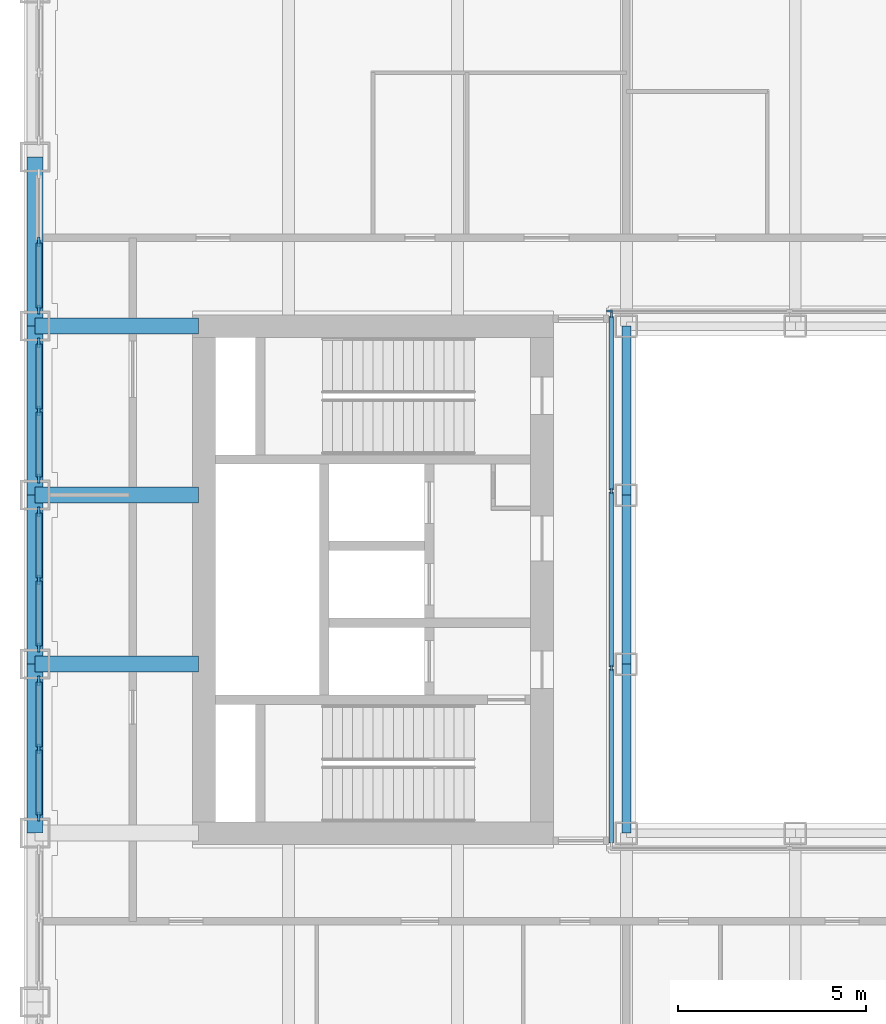
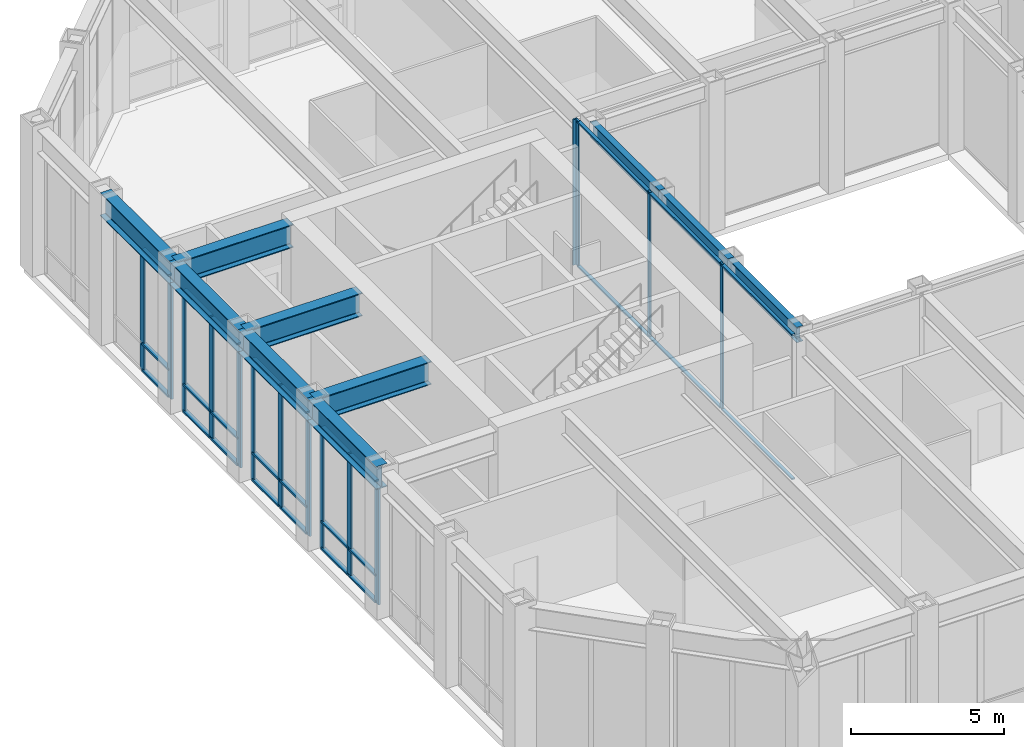
# One storey, part 4 of 22: 42 members, 10 beams, 6 elements without a shape of their own.
"""IFC4 building model written with IfcOpenShell, lengths in metres."""

from ifc_helpers import new_model, si_unit, direction, frame, origin, origin_2d, place, context, subcontext, project, spatial, rectangle, i_section, extrude, material, material_profile, profile_set, type_object, element, aggregate, save


model = new_model("IFC4")

# Units and contexts
model_context = context("Model", 3, precision=1e-05, world=origin(), true_north=direction((0.0, 1.0)))
body_context = subcontext(model_context, "Body", "Model", "MODEL_VIEW")
ifc_project = project(units=[si_unit("LENGTHUNIT", "METRE"), si_unit("AREAUNIT", "SQUARE_METRE"), si_unit("VOLUMEUNIT", "CUBIC_METRE"), si_unit("PLANEANGLEUNIT", "RADIAN"), si_unit("MASSUNIT", "GRAM", prefix="KILO")], contexts=[model_context])

# Site, building, storey
site_placement = place(None, origin())
site = spatial("IfcSite", under=ifc_project, at=site_placement, CompositionType="ELEMENT")
building_placement = place(site_placement, origin())
building = spatial("IfcBuilding", under=site, at=building_placement, Name="Msasa Ring Tower", CompositionType="ELEMENT")
storey_placement = place(building_placement, frame((0.0, 0.0, 112.39990234375)))
storey = spatial("IfcBuildingStorey", under=building, at=storey_placement, Name="L29", CompositionType="ELEMENT", Elevation=112.39990234375)

# Curtain wall, members
ifc_material_1 = material(Name="Aluminium curtain wall with clear glass", Category="aluminium")
curtain_wall_type_1 = type_object("IfcCurtainWallType", Name="CW-S SKY LOBBY CURTAIN WALL", PredefinedType="NOTDEFINED", material=ifc_material_1)
curtain_wall_1_placement = place(storey_placement, origin())
curtain_wall_1 = element("IfcCurtainWall", 1, at=curtain_wall_1_placement, inside=storey, type_object=curtain_wall_type_1, Name="Sky lobby curtain wall W L29", PredefinedType="NOTDEFINED")
ifc_material_2 = material(Name="Aluminium mullion", Category="aluminium")
ifc_material_profile_1 = material_profile(ifc_material_2, rectangle(XDim=0.074951171875, YDim=0.25, at=origin_2d()), Name="AL 75x250")
ifc_profile_set_1 = profile_set([ifc_material_profile_1], Name="Aluminium mullion")
member_type_1 = type_object("IfcMemberType", Name="CW-S MULLION 75x250", PredefinedType="MULLION", material=ifc_profile_set_1)
member_1_placement = place(storey_placement, frame((-22.39990234375, -6.3076171875, 0.0), z_axis=(0.0, 0.0, 1.0), x_axis=(-1.0, 0.0, 0.0)))
member_1 = element("IfcMember", 2, at=member_1_placement, type_object=member_type_1, Name="CW-S mullion 1", PredefinedType="MULLION", context=body_context, shape_type="SweptSolid", body=[
    extrude(rectangle(XDim=0.074951171875, YDim=0.25, at=origin_2d()), origin(), (0.0, 0.0, 1.0), 4.879150390625),
])
member_2_placement = place(storey_placement, frame((-22.39990234375, -4.5, 0.0), z_axis=(0.0, 0.0, 1.0), x_axis=(-1.0, 0.0, 0.0)))
member_2 = element("IfcMember", 3, at=member_2_placement, type_object=member_type_1, Name="CW-S mullion 2", PredefinedType="MULLION", context=body_context, shape_type="SweptSolid", body=[
    extrude(rectangle(XDim=0.074951171875, YDim=0.25, at=origin_2d()), origin(), (0.0, 0.0, 1.0), 4.879150390625),
])
member_3_placement = place(storey_placement, frame((-22.39990234375, -2.6923828125, 0.0), z_axis=(0.0, 0.0, 1.0), x_axis=(-1.0, 0.0, 0.0)))
member_3 = element("IfcMember", 4, at=member_3_placement, type_object=member_type_1, Name="CW-S mullion 3", PredefinedType="MULLION", context=body_context, shape_type="SweptSolid", body=[
    extrude(rectangle(XDim=0.074951171875, YDim=0.25, at=origin_2d()), origin(), (0.0, 0.0, 1.0), 4.879150390625),
])

curtain_wall_2_placement = place(storey_placement, origin())
curtain_wall_2 = element("IfcCurtainWall", 5, at=curtain_wall_2_placement, inside=storey, type_object=curtain_wall_type_1, Name="Sky lobby curtain wall W L29", PredefinedType="NOTDEFINED")
member_4_placement = place(storey_placement, frame((-22.39990234375, -1.8076171875, 0.0), z_axis=(0.0, 0.0, 1.0), x_axis=(-1.0, 0.0, 0.0)))
member_4 = element("IfcMember", 6, at=member_4_placement, type_object=member_type_1, Name="CW-S mullion 1", PredefinedType="MULLION", context=body_context, shape_type="SweptSolid", body=[
    extrude(rectangle(XDim=0.074951171875, YDim=0.25, at=origin_2d()), origin(), (0.0, 0.0, 1.0), 4.879150390625),
])
member_5_placement = place(storey_placement, frame((-22.39990234375, 0.0, 0.0), z_axis=(0.0, 0.0, 1.0), x_axis=(-1.0, 0.0, 0.0)))
member_5 = element("IfcMember", 7, at=member_5_placement, type_object=member_type_1, Name="CW-S mullion 2", PredefinedType="MULLION", context=body_context, shape_type="SweptSolid", body=[
    extrude(rectangle(XDim=0.074951171875, YDim=0.25, at=origin_2d()), origin(), (0.0, 0.0, 1.0), 4.879150390625),
])
member_6_placement = place(storey_placement, frame((-22.39990234375, 1.8076171875, 0.0), z_axis=(0.0, 0.0, 1.0), x_axis=(-1.0, 0.0, 0.0)))
member_6 = element("IfcMember", 8, at=member_6_placement, type_object=member_type_1, Name="CW-S mullion 3", PredefinedType="MULLION", context=body_context, shape_type="SweptSolid", body=[
    extrude(rectangle(XDim=0.074951171875, YDim=0.25, at=origin_2d()), origin(), (0.0, 0.0, 1.0), 4.879150390625),
])

curtain_wall_3_placement = place(storey_placement, origin())
curtain_wall_3 = element("IfcCurtainWall", 9, at=curtain_wall_3_placement, inside=storey, type_object=curtain_wall_type_1, Name="Sky lobby curtain wall W L29", PredefinedType="NOTDEFINED")
member_7_placement = place(storey_placement, frame((-22.39990234375, 2.6923828125, 0.0), z_axis=(0.0, 0.0, 1.0), x_axis=(-1.0, 0.0, 0.0)))
member_7 = element("IfcMember", 10, at=member_7_placement, type_object=member_type_1, Name="CW-S mullion 1", PredefinedType="MULLION", context=body_context, shape_type="SweptSolid", body=[
    extrude(rectangle(XDim=0.074951171875, YDim=0.25, at=origin_2d()), origin(), (0.0, 0.0, 1.0), 4.879150390625),
])
member_8_placement = place(storey_placement, frame((-22.39990234375, 4.5, 0.0), z_axis=(0.0, 0.0, 1.0), x_axis=(-1.0, 0.0, 0.0)))
member_8 = element("IfcMember", 11, at=member_8_placement, type_object=member_type_1, Name="CW-S mullion 2", PredefinedType="MULLION", context=body_context, shape_type="SweptSolid", body=[
    extrude(rectangle(XDim=0.074951171875, YDim=0.25, at=origin_2d()), origin(), (0.0, 0.0, 1.0), 4.879150390625),
])
member_9_placement = place(storey_placement, frame((-22.39990234375, 6.3076171875, 0.0), z_axis=(0.0, 0.0, 1.0), x_axis=(-1.0, 0.0, 0.0)))
member_9 = element("IfcMember", 12, at=member_9_placement, type_object=member_type_1, Name="CW-S mullion 3", PredefinedType="MULLION", context=body_context, shape_type="SweptSolid", body=[
    extrude(rectangle(XDim=0.074951171875, YDim=0.25, at=origin_2d()), origin(), (0.0, 0.0, 1.0), 4.879150390625),
])

curtain_wall_4_placement = place(storey_placement, origin())
curtain_wall_4 = element("IfcCurtainWall", 13, at=curtain_wall_4_placement, inside=storey, type_object=curtain_wall_type_1, Name="Sky lobby curtain wall W L29", PredefinedType="NOTDEFINED")
member_10_placement = place(storey_placement, frame((-22.39990234375, 7.1923828125, 0.0), z_axis=(0.0, 0.0, 1.0), x_axis=(-1.0, 0.0, 0.0)))
member_10 = element("IfcMember", 14, at=member_10_placement, type_object=member_type_1, Name="CW-S mullion 1", PredefinedType="MULLION", context=body_context, shape_type="SweptSolid", body=[
    extrude(rectangle(XDim=0.074951171875, YDim=0.25, at=origin_2d()), origin(), (0.0, 0.0, 1.0), 4.879150390625),
])
member_11_placement = place(storey_placement, frame((-22.39990234375, 9.0, 0.0), z_axis=(0.0, 0.0, 1.0), x_axis=(-1.0, 0.0, 0.0)))
member_11 = element("IfcMember", 15, at=member_11_placement, type_object=member_type_1, Name="CW-S mullion 2", PredefinedType="MULLION", context=body_context, shape_type="SweptSolid", body=[
    extrude(rectangle(XDim=0.074951171875, YDim=0.25, at=origin_2d()), origin(), (0.0, 0.0, 1.0), 4.879150390625),
])

# Member
ifc_material_3 = material(Name="Aluminium transom", Category="aluminium")
ifc_material_profile_2 = material_profile(ifc_material_3, rectangle(XDim=0.159912109375, YDim=0.074951171875, at=origin_2d()), Name="AL 75x160")
ifc_profile_set_2 = profile_set([ifc_material_profile_2], Name="Aluminium transom")
member_type_2 = type_object("IfcMemberType", Name="CW-S TRANSOM 75x160", PredefinedType="USERDEFINED", material=ifc_profile_set_2)
member_12_placement = place(storey_placement, frame((-22.39990234375, -6.27001953125, 0.03759765625), z_axis=(0.0, 1.0, 0.0), x_axis=(-1.0, 0.0, 0.0)))
member_12 = element("IfcMember", 16, at=member_12_placement, type_object=member_type_2, Name="CW-S transom 1.1", ObjectType="TRANSOM", PredefinedType="USERDEFINED", context=body_context, shape_type="SweptSolid", body=[
    extrude(rectangle(XDim=0.159912109375, YDim=0.074951171875, at=origin_2d()), origin(), (0.0, 0.0, 1.0), 1.732421875),
])

member_13_placement = place(storey_placement, frame((-22.39990234375, -6.27001953125, 1.10009765625), z_axis=(0.0, 1.0, 0.0), x_axis=(-1.0, 0.0, 0.0)))
member_13 = element("IfcMember", 17, at=member_13_placement, type_object=member_type_2, Name="CW-S transom 1.2", ObjectType="TRANSOM", PredefinedType="USERDEFINED", context=body_context, shape_type="SweptSolid", body=[
    extrude(rectangle(XDim=0.159912109375, YDim=0.074951171875, at=origin_2d()), origin(), (0.0, 0.0, 1.0), 1.732421875),
])

member_14_placement = place(storey_placement, frame((-22.39990234375, -6.27001953125, 4.841552734375), z_axis=(0.0, 1.0, 0.0), x_axis=(-1.0, 0.0, 0.0)))
member_14 = element("IfcMember", 18, at=member_14_placement, type_object=member_type_2, Name="CW-S transom 1.3", ObjectType="TRANSOM", PredefinedType="USERDEFINED", context=body_context, shape_type="SweptSolid", body=[
    extrude(rectangle(XDim=0.159912109375, YDim=0.074951171875, at=origin_2d()), origin(), (0.0, 0.0, 1.0), 1.732421875),
])

member_15_placement = place(storey_placement, frame((-22.39990234375, -4.46240234375, 0.03759765625), z_axis=(0.0, 1.0, 0.0), x_axis=(-1.0, 0.0, 0.0)))
member_15 = element("IfcMember", 19, at=member_15_placement, type_object=member_type_2, Name="CW-S transom 2.1", ObjectType="TRANSOM", PredefinedType="USERDEFINED", context=body_context, shape_type="SweptSolid", body=[
    extrude(rectangle(XDim=0.159912109375, YDim=0.074951171875, at=origin_2d()), origin(), (0.0, 0.0, 1.0), 1.732421875),
])

member_16_placement = place(storey_placement, frame((-22.39990234375, -4.46240234375, 1.10009765625), z_axis=(0.0, 1.0, 0.0), x_axis=(-1.0, 0.0, 0.0)))
member_16 = element("IfcMember", 20, at=member_16_placement, type_object=member_type_2, Name="CW-S transom 2.2", ObjectType="TRANSOM", PredefinedType="USERDEFINED", context=body_context, shape_type="SweptSolid", body=[
    extrude(rectangle(XDim=0.159912109375, YDim=0.074951171875, at=origin_2d()), origin(), (0.0, 0.0, 1.0), 1.732421875),
])

member_17_placement = place(storey_placement, frame((-22.39990234375, -4.46240234375, 4.841552734375), z_axis=(0.0, 1.0, 0.0), x_axis=(-1.0, 0.0, 0.0)))
member_17 = element("IfcMember", 21, at=member_17_placement, type_object=member_type_2, Name="CW-S transom 2.3", ObjectType="TRANSOM", PredefinedType="USERDEFINED", context=body_context, shape_type="SweptSolid", body=[
    extrude(rectangle(XDim=0.159912109375, YDim=0.074951171875, at=origin_2d()), origin(), (0.0, 0.0, 1.0), 1.732421875),
])

aggregate(curtain_wall_1, [member_1, member_2, member_3, member_12, member_13, member_14, member_15, member_16, member_17])

member_18_placement = place(storey_placement, frame((-22.39990234375, -1.77001953125, 0.03759765625), z_axis=(0.0, 1.0, 0.0), x_axis=(-1.0, 0.0, 0.0)))
member_18 = element("IfcMember", 22, at=member_18_placement, type_object=member_type_2, Name="CW-S transom 1.1", ObjectType="TRANSOM", PredefinedType="USERDEFINED", context=body_context, shape_type="SweptSolid", body=[
    extrude(rectangle(XDim=0.159912109375, YDim=0.074951171875, at=origin_2d()), origin(), (0.0, 0.0, 1.0), 1.732421875),
])

member_19_placement = place(storey_placement, frame((-22.39990234375, -1.77001953125, 1.10009765625), z_axis=(0.0, 1.0, 0.0), x_axis=(-1.0, 0.0, 0.0)))
member_19 = element("IfcMember", 23, at=member_19_placement, type_object=member_type_2, Name="CW-S transom 1.2", ObjectType="TRANSOM", PredefinedType="USERDEFINED", context=body_context, shape_type="SweptSolid", body=[
    extrude(rectangle(XDim=0.159912109375, YDim=0.074951171875, at=origin_2d()), origin(), (0.0, 0.0, 1.0), 1.732421875),
])

member_20_placement = place(storey_placement, frame((-22.39990234375, -1.77001953125, 4.841552734375), z_axis=(0.0, 1.0, 0.0), x_axis=(-1.0, 0.0, 0.0)))
member_20 = element("IfcMember", 24, at=member_20_placement, type_object=member_type_2, Name="CW-S transom 1.3", ObjectType="TRANSOM", PredefinedType="USERDEFINED", context=body_context, shape_type="SweptSolid", body=[
    extrude(rectangle(XDim=0.159912109375, YDim=0.074951171875, at=origin_2d()), origin(), (0.0, 0.0, 1.0), 1.732421875),
])

member_21_placement = place(storey_placement, frame((-22.39990234375, 0.03759765625, 0.03759765625), z_axis=(0.0, 1.0, 0.0), x_axis=(-1.0, 0.0, 0.0)))
member_21 = element("IfcMember", 25, at=member_21_placement, type_object=member_type_2, Name="CW-S transom 2.1", ObjectType="TRANSOM", PredefinedType="USERDEFINED", context=body_context, shape_type="SweptSolid", body=[
    extrude(rectangle(XDim=0.159912109375, YDim=0.074951171875, at=origin_2d()), origin(), (0.0, 0.0, 1.0), 1.732421875),
])

member_22_placement = place(storey_placement, frame((-22.39990234375, 0.03759765625, 1.10009765625), z_axis=(0.0, 1.0, 0.0), x_axis=(-1.0, 0.0, 0.0)))
member_22 = element("IfcMember", 26, at=member_22_placement, type_object=member_type_2, Name="CW-S transom 2.2", ObjectType="TRANSOM", PredefinedType="USERDEFINED", context=body_context, shape_type="SweptSolid", body=[
    extrude(rectangle(XDim=0.159912109375, YDim=0.074951171875, at=origin_2d()), origin(), (0.0, 0.0, 1.0), 1.732421875),
])

member_23_placement = place(storey_placement, frame((-22.39990234375, 0.03759765625, 4.841552734375), z_axis=(0.0, 1.0, 0.0), x_axis=(-1.0, 0.0, 0.0)))
member_23 = element("IfcMember", 27, at=member_23_placement, type_object=member_type_2, Name="CW-S transom 2.3", ObjectType="TRANSOM", PredefinedType="USERDEFINED", context=body_context, shape_type="SweptSolid", body=[
    extrude(rectangle(XDim=0.159912109375, YDim=0.074951171875, at=origin_2d()), origin(), (0.0, 0.0, 1.0), 1.732421875),
])

aggregate(curtain_wall_2, [member_4, member_5, member_6, member_18, member_19, member_20, member_21, member_22, member_23])

member_24_placement = place(storey_placement, frame((-22.39990234375, 2.72998046875, 0.03759765625), z_axis=(0.0, 1.0, 0.0), x_axis=(-1.0, 0.0, 0.0)))
member_24 = element("IfcMember", 28, at=member_24_placement, type_object=member_type_2, Name="CW-S transom 1.1", ObjectType="TRANSOM", PredefinedType="USERDEFINED", context=body_context, shape_type="SweptSolid", body=[
    extrude(rectangle(XDim=0.159912109375, YDim=0.074951171875, at=origin_2d()), origin(), (0.0, 0.0, 1.0), 1.732421875),
])

member_25_placement = place(storey_placement, frame((-22.39990234375, 2.72998046875, 1.10009765625), z_axis=(0.0, 1.0, 0.0), x_axis=(-1.0, 0.0, 0.0)))
member_25 = element("IfcMember", 29, at=member_25_placement, type_object=member_type_2, Name="CW-S transom 1.2", ObjectType="TRANSOM", PredefinedType="USERDEFINED", context=body_context, shape_type="SweptSolid", body=[
    extrude(rectangle(XDim=0.159912109375, YDim=0.074951171875, at=origin_2d()), origin(), (0.0, 0.0, 1.0), 1.732421875),
])

member_26_placement = place(storey_placement, frame((-22.39990234375, 2.72998046875, 4.841552734375), z_axis=(0.0, 1.0, 0.0), x_axis=(-1.0, 0.0, 0.0)))
member_26 = element("IfcMember", 30, at=member_26_placement, type_object=member_type_2, Name="CW-S transom 1.3", ObjectType="TRANSOM", PredefinedType="USERDEFINED", context=body_context, shape_type="SweptSolid", body=[
    extrude(rectangle(XDim=0.159912109375, YDim=0.074951171875, at=origin_2d()), origin(), (0.0, 0.0, 1.0), 1.732421875),
])

member_27_placement = place(storey_placement, frame((-22.39990234375, 4.53759765625, 0.03759765625), z_axis=(0.0, 1.0, 0.0), x_axis=(-1.0, 0.0, 0.0)))
member_27 = element("IfcMember", 31, at=member_27_placement, type_object=member_type_2, Name="CW-S transom 2.1", ObjectType="TRANSOM", PredefinedType="USERDEFINED", context=body_context, shape_type="SweptSolid", body=[
    extrude(rectangle(XDim=0.159912109375, YDim=0.074951171875, at=origin_2d()), origin(), (0.0, 0.0, 1.0), 1.732421875),
])

member_28_placement = place(storey_placement, frame((-22.39990234375, 4.53759765625, 1.10009765625), z_axis=(0.0, 1.0, 0.0), x_axis=(-1.0, 0.0, 0.0)))
member_28 = element("IfcMember", 32, at=member_28_placement, type_object=member_type_2, Name="CW-S transom 2.2", ObjectType="TRANSOM", PredefinedType="USERDEFINED", context=body_context, shape_type="SweptSolid", body=[
    extrude(rectangle(XDim=0.159912109375, YDim=0.074951171875, at=origin_2d()), origin(), (0.0, 0.0, 1.0), 1.732421875),
])

member_29_placement = place(storey_placement, frame((-22.39990234375, 4.53759765625, 4.841552734375), z_axis=(0.0, 1.0, 0.0), x_axis=(-1.0, 0.0, 0.0)))
member_29 = element("IfcMember", 33, at=member_29_placement, type_object=member_type_2, Name="CW-S transom 2.3", ObjectType="TRANSOM", PredefinedType="USERDEFINED", context=body_context, shape_type="SweptSolid", body=[
    extrude(rectangle(XDim=0.159912109375, YDim=0.074951171875, at=origin_2d()), origin(), (0.0, 0.0, 1.0), 1.732421875),
])

aggregate(curtain_wall_3, [member_7, member_8, member_9, member_24, member_25, member_26, member_27, member_28, member_29])

member_30_placement = place(storey_placement, frame((-22.39990234375, 7.22998046875, 0.03759765625), z_axis=(0.0, 1.0, 0.0), x_axis=(-1.0, 0.0, 0.0)))
member_30 = element("IfcMember", 34, at=member_30_placement, type_object=member_type_2, Name="CW-S transom 1.1", ObjectType="TRANSOM", PredefinedType="USERDEFINED", context=body_context, shape_type="SweptSolid", body=[
    extrude(rectangle(XDim=0.159912109375, YDim=0.074951171875, at=origin_2d()), origin(), (0.0, 0.0, 1.0), 1.732421875),
])

member_31_placement = place(storey_placement, frame((-22.39990234375, 7.22998046875, 1.10009765625), z_axis=(0.0, 1.0, 0.0), x_axis=(-1.0, 0.0, 0.0)))
member_31 = element("IfcMember", 35, at=member_31_placement, type_object=member_type_2, Name="CW-S transom 1.2", ObjectType="TRANSOM", PredefinedType="USERDEFINED", context=body_context, shape_type="SweptSolid", body=[
    extrude(rectangle(XDim=0.159912109375, YDim=0.074951171875, at=origin_2d()), origin(), (0.0, 0.0, 1.0), 1.732421875),
])

member_32_placement = place(storey_placement, frame((-22.39990234375, 7.22998046875, 4.841552734375), z_axis=(0.0, 1.0, 0.0), x_axis=(-1.0, 0.0, 0.0)))
member_32 = element("IfcMember", 36, at=member_32_placement, type_object=member_type_2, Name="CW-S transom 1.3", ObjectType="TRANSOM", PredefinedType="USERDEFINED", context=body_context, shape_type="SweptSolid", body=[
    extrude(rectangle(XDim=0.159912109375, YDim=0.074951171875, at=origin_2d()), origin(), (0.0, 0.0, 1.0), 1.732421875),
])

aggregate(curtain_wall_4, [member_10, member_11, member_30, member_31, member_32])

# Curtain wall, member
ifc_material_4 = material(Name="Aluminium curtain wall with clear glass", Category="aluminium")
curtain_wall_type_2 = type_object("IfcCurtainWallType", Name="CW-W LIGHT WELL CURTAIN WALL", PredefinedType="NOTDEFINED", material=ifc_material_4)
curtain_wall_5_placement = place(storey_placement, origin())
curtain_wall_5 = element("IfcCurtainWall", 37, at=curtain_wall_5_placement, inside=storey, type_object=curtain_wall_type_2, Name="Light well curtain wall N L29", PredefinedType="NOTDEFINED")
ifc_material_5 = material(Name="Aluminium mullion", Category="aluminium")
ifc_material_profile_3 = material_profile(ifc_material_5, rectangle(XDim=0.06005859375, YDim=0.159912109375, at=origin_2d()), Name="AL 60x160")
ifc_profile_set_3 = profile_set([ifc_material_profile_3], Name="Aluminium mullion")
member_type_3 = type_object("IfcMemberType", Name="CW-W MULLION 60x160", PredefinedType="MULLION", material=ifc_profile_set_3)
member_33_placement = place(storey_placement, frame((-7.199951171875, 7.14990234375, 0.0), z_axis=(0.0, 0.0, 1.0), x_axis=(0.0, 1.0, 0.0)))
member_33 = element("IfcMember", 38, at=member_33_placement, type_object=member_type_3, Name="CW-W mullion 1", PredefinedType="MULLION", context=body_context, shape_type="SweptSolid", body=[
    extrude(rectangle(XDim=0.06005859375, YDim=0.159912109375, at=origin_2d()), origin(), (0.0, 0.0, 1.0), 5.800048828125),
])
aggregate(curtain_wall_5, [member_33])

# Curtain wall, members
curtain_wall_6_placement = place(storey_placement, origin())
curtain_wall_6 = element("IfcCurtainWall", 39, at=curtain_wall_6_placement, inside=storey, type_object=curtain_wall_type_2, Name="Light well curtain wall W L29", PredefinedType="NOTDEFINED")
member_34_placement = place(storey_placement, frame((-7.14990234375, -2.356689453125, 0.0), z_axis=(0.0, 0.0, 1.0), x_axis=(-1.0, 0.0, 0.0)))
member_34 = element("IfcMember", 40, at=member_34_placement, type_object=member_type_3, Name="CW-W mullion 2", PredefinedType="MULLION", context=body_context, shape_type="SweptSolid", body=[
    extrude(rectangle(XDim=0.06005859375, YDim=0.159912109375, at=origin_2d()), origin(), (0.0, 0.0, 1.0), 5.800048828125),
])
member_35_placement = place(storey_placement, frame((-7.14990234375, 2.356689453125, 0.0), z_axis=(0.0, 0.0, 1.0), x_axis=(-1.0, 0.0, 0.0)))
member_35 = element("IfcMember", 41, at=member_35_placement, type_object=member_type_3, Name="CW-W mullion 3", PredefinedType="MULLION", context=body_context, shape_type="SweptSolid", body=[
    extrude(rectangle(XDim=0.06005859375, YDim=0.159912109375, at=origin_2d()), origin(), (0.0, 0.0, 1.0), 5.800048828125),
])
member_36_placement = place(storey_placement, frame((-7.14990234375, 7.0400390625, 0.0), z_axis=(0.0, 0.0, 1.0), x_axis=(-1.0, 0.0, 0.0)))
member_36 = element("IfcMember", 42, at=member_36_placement, type_object=member_type_3, Name="CW-W mullion 4", PredefinedType="MULLION", context=body_context, shape_type="SweptSolid", body=[
    extrude(rectangle(XDim=0.06005859375, YDim=0.159912109375, at=origin_2d()), origin(), (0.0, 0.0, 1.0), 5.800048828125),
])
ifc_material_6 = material(Name="Aluminium transom", Category="aluminium")
ifc_material_profile_4 = material_profile(ifc_material_6, rectangle(XDim=0.1201171875, YDim=0.06005859375, at=origin_2d()), Name="AL 60x120")
ifc_profile_set_4 = profile_set([ifc_material_profile_4], Name="Aluminium transom")
member_type_4 = type_object("IfcMemberType", Name="CW-W TRANSOM 60x120", PredefinedType="USERDEFINED", material=ifc_profile_set_4)
member_37_placement = place(storey_placement, frame((-7.14990234375, -7.010009765625, 0.030029296875), z_axis=(0.0, 1.0, 0.0), x_axis=(-1.0, 0.0, 0.0)))
member_37 = element("IfcMember", 43, at=member_37_placement, type_object=member_type_4, Name="CW-W transom 1.1", ObjectType="TRANSOM", PredefinedType="USERDEFINED", context=body_context, shape_type="SweptSolid", body=[
    extrude(rectangle(XDim=0.1201171875, YDim=0.06005859375, at=origin_2d()), origin(), (0.0, 0.0, 1.0), 4.623291015625),
])
member_38_placement = place(storey_placement, frame((-7.14990234375, -7.010009765625, 5.77001953125), z_axis=(0.0, 1.0, 0.0), x_axis=(-1.0, 0.0, 0.0)))
member_38 = element("IfcMember", 44, at=member_38_placement, type_object=member_type_4, Name="CW-W transom 1.2", ObjectType="TRANSOM", PredefinedType="USERDEFINED", context=body_context, shape_type="SweptSolid", body=[
    extrude(rectangle(XDim=0.1201171875, YDim=0.06005859375, at=origin_2d()), origin(), (0.0, 0.0, 1.0), 4.623291015625),
])
member_39_placement = place(storey_placement, frame((-7.14990234375, -2.32666015625, 0.030029296875), z_axis=(0.0, 1.0, 0.0), x_axis=(-1.0, 0.0, 0.0)))
member_39 = element("IfcMember", 45, at=member_39_placement, type_object=member_type_4, Name="CW-W transom 2.1", ObjectType="TRANSOM", PredefinedType="USERDEFINED", context=body_context, shape_type="SweptSolid", body=[
    extrude(rectangle(XDim=0.1201171875, YDim=0.06005859375, at=origin_2d()), origin(), (0.0, 0.0, 1.0), 4.6533203125),
])
member_40_placement = place(storey_placement, frame((-7.14990234375, -2.32666015625, 5.77001953125), z_axis=(0.0, 1.0, 0.0), x_axis=(-1.0, 0.0, 0.0)))
member_40 = element("IfcMember", 46, at=member_40_placement, type_object=member_type_4, Name="CW-W transom 2.2", ObjectType="TRANSOM", PredefinedType="USERDEFINED", context=body_context, shape_type="SweptSolid", body=[
    extrude(rectangle(XDim=0.1201171875, YDim=0.06005859375, at=origin_2d()), origin(), (0.0, 0.0, 1.0), 4.6533203125),
])
member_41_placement = place(storey_placement, frame((-7.14990234375, 2.38671875, 0.030029296875), z_axis=(0.0, 1.0, 0.0), x_axis=(-1.0, 0.0, 0.0)))
member_41 = element("IfcMember", 47, at=member_41_placement, type_object=member_type_4, Name="CW-W transom 3.1", ObjectType="TRANSOM", PredefinedType="USERDEFINED", context=body_context, shape_type="SweptSolid", body=[
    extrude(rectangle(XDim=0.1201171875, YDim=0.06005859375, at=origin_2d()), origin(), (0.0, 0.0, 1.0), 4.623291015625),
])
member_42_placement = place(storey_placement, frame((-7.14990234375, 2.38671875, 5.77001953125), z_axis=(0.0, 1.0, 0.0), x_axis=(-1.0, 0.0, 0.0)))
member_42 = element("IfcMember", 48, at=member_42_placement, type_object=member_type_4, Name="CW-W transom 3.2", ObjectType="TRANSOM", PredefinedType="USERDEFINED", context=body_context, shape_type="SweptSolid", body=[
    extrude(rectangle(XDim=0.1201171875, YDim=0.06005859375, at=origin_2d()), origin(), (0.0, 0.0, 1.0), 4.623291015625),
])
aggregate(curtain_wall_6, [member_34, member_35, member_36, member_37, member_38, member_39, member_40, member_41, member_42])

# Beams
ifc_material_7 = material(Name="Steel S355", Category="steel")
ifc_material_profile_5 = material_profile(ifc_material_7, i_section(OverallWidth=0.42041015625, OverallDepth=0.9208984375, WebThickness=0.021484375, FlangeThickness=0.03662109375, FilletRadius=0.024169921875, at=origin_2d()), Name="UB 914x419x388")
ifc_profile_set_5 = profile_set([ifc_material_profile_5], Name="Steel S355")
beam_type_1 = type_object("IfcBeamType", Name="FB2 UB 914x419x388", PredefinedType="BEAM", material=ifc_profile_set_5)
for number, where, z_axis, x_axis, name in (
    (49, (-22.5, -2.25, 5.339599609375), (1.0, 0.0, 0.0), (0.0, 1.0, 0.0), "Floor beam W -2.25 under L30"),
    (50, (-22.5, 2.25, 5.339599609375), (1.0, 0.0, 0.0), (0.0, 1.0, 0.0), "Floor beam W +2.25 under L30"),
):
    element("IfcBeam", number, at=place(storey_placement, frame(where, z_axis=z_axis, x_axis=x_axis)), inside=storey, type_object=beam_type_1, Name=name, PredefinedType="BEAM", context=body_context, shape_type="SweptSolid", body=[
        extrude(i_section(OverallWidth=0.42041015625, OverallDepth=0.9208984375, WebThickness=0.021484375, FlangeThickness=0.03662109375, FilletRadius=0.024169921875, at=origin_2d()), origin(), (0.0, 0.0, 1.0), 4.35009765625),
    ])
ifc_material_8 = material(Name="Steel S355", Category="steel")
ifc_material_profile_6 = material_profile(ifc_material_8, i_section(OverallWidth=0.42041015625, OverallDepth=0.9208984375, WebThickness=0.021484375, FlangeThickness=0.03662109375, FilletRadius=0.024169921875, at=origin_2d()), Name="UB 914x419x388")
ifc_profile_set_6 = profile_set([ifc_material_profile_6], Name="Steel S355")
beam_type_2 = type_object("IfcBeamType", Name="GB1 UB 914x419x388", PredefinedType="BEAM", material=ifc_profile_set_6)
beam_placement = place(storey_placement, frame((-18.14990234375, 6.75, 5.339599609375), z_axis=(-1.0, 0.0, 0.0), x_axis=(0.0, -1.0, 0.0)))
element("IfcBeam", 51, at=beam_placement, inside=storey, type_object=beam_type_2, Name="Girder W +6.75 under L30", PredefinedType="BEAM", context=body_context, shape_type="SweptSolid", body=[
    extrude(i_section(OverallWidth=0.42041015625, OverallDepth=0.9208984375, WebThickness=0.021484375, FlangeThickness=0.03662109375, FilletRadius=0.024169921875, at=origin_2d()), origin(), (0.0, 0.0, 1.0), 4.35009765625),
])
ifc_material_9 = material(Name="Steel S355", Category="steel")
ifc_material_profile_7 = material_profile(ifc_material_9, i_section(OverallWidth=0.230224609375, OverallDepth=0.6171875, WebThickness=0.01318359375, FlangeThickness=0.022216796875, FilletRadius=0.0126953125, at=origin_2d()), Name="UB 610x229x140")
ifc_profile_set_7 = profile_set([ifc_material_profile_7], Name="Steel S355")
beam_type_3 = type_object("IfcBeamType", Name="RB1 UB 610x229x140", PredefinedType="BEAM", material=ifc_profile_set_7)
for number, where, z_axis, x_axis, name in (
    (52, (-6.75, -2.25, 5.491455078125), (0.0, -1.0, 0.0), (1.0, 0.0, 0.0), "Inner ring beam IR-6.75-2.25 under L30"),
    (53, (-6.75, 6.75, 5.491455078125), (0.0, -1.0, 0.0), (1.0, 0.0, 0.0), "Inner ring beam IR-6.75+6.75 under L30"),
    (54, (-6.75, 2.25, 5.491455078125), (0.0, -1.0, 0.0), (1.0, 0.0, 0.0), "Inner ring beam IR-6.75+2.25 under L30"),
):
    element("IfcBeam", number, at=place(storey_placement, frame(where, z_axis=z_axis, x_axis=x_axis)), inside=storey, type_object=beam_type_3, Name=name, PredefinedType="BEAM", context=body_context, shape_type="SweptSolid", body=[
        extrude(i_section(OverallWidth=0.230224609375, OverallDepth=0.6171875, WebThickness=0.01318359375, FlangeThickness=0.022216796875, FilletRadius=0.0126953125, at=origin_2d()), origin(), (0.0, 0.0, 1.0), 4.5),
    ])
ifc_material_10 = material(Name="Steel S355", Category="steel")
ifc_material_profile_8 = material_profile(ifc_material_10, i_section(OverallWidth=0.42041015625, OverallDepth=0.9208984375, WebThickness=0.021484375, FlangeThickness=0.03662109375, FilletRadius=0.024169921875, at=origin_2d()), Name="UB 914x419x388")
ifc_profile_set_8 = profile_set([ifc_material_profile_8], Name="Steel S355")
beam_type_4 = type_object("IfcBeamType", Name="SB1 UB 914x419x388", PredefinedType="SPANDREL", material=ifc_profile_set_8)
for number, where, z_axis, x_axis, name in (
    (55, (-22.5, -2.25, 5.339599609375), (0.0, -1.0, 0.0), (1.0, 0.0, 0.0), "Spandrel W-2.25 to W-6.75 under L30"),
    (56, (-22.5, 11.25, 5.339599609375), (0.0, -1.0, 0.0), (1.0, 0.0, 0.0), "Spandrel W+11.25 to W+6.75 under L30"),
    (57, (-22.5, 6.75, 5.339599609375), (0.0, -1.0, 0.0), (1.0, 0.0, 0.0), "Spandrel W+6.75 to W+2.25 under L30"),
    (58, (-22.5, 2.25, 5.339599609375), (0.0, -1.0, 0.0), (1.0, 0.0, 0.0), "Spandrel W+2.25 to W-2.25 under L30"),
):
    element("IfcBeam", number, at=place(storey_placement, frame(where, z_axis=z_axis, x_axis=x_axis)), inside=storey, type_object=beam_type_4, Name=name, PredefinedType="SPANDREL", context=body_context, shape_type="SweptSolid", body=[
        extrude(i_section(OverallWidth=0.42041015625, OverallDepth=0.9208984375, WebThickness=0.021484375, FlangeThickness=0.03662109375, FilletRadius=0.024169921875, at=origin_2d()), origin(), (0.0, 0.0, 1.0), 4.5),
    ])

save(model, "model.ifc")
